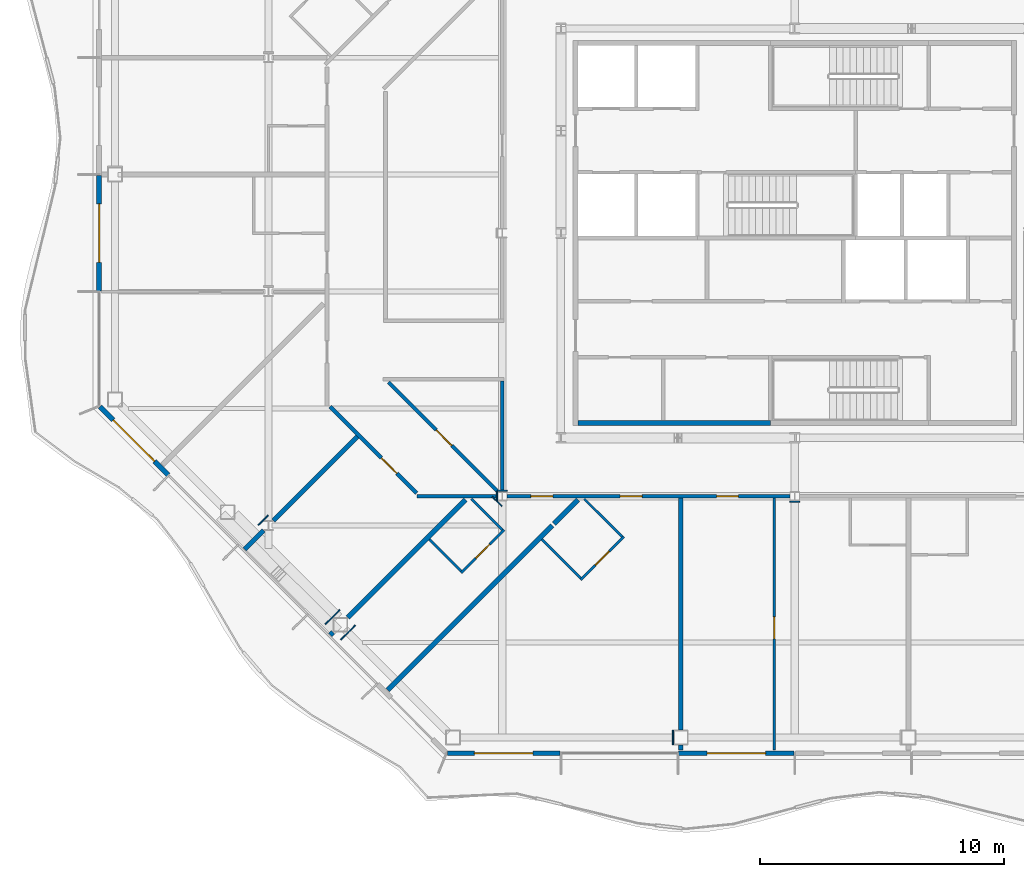
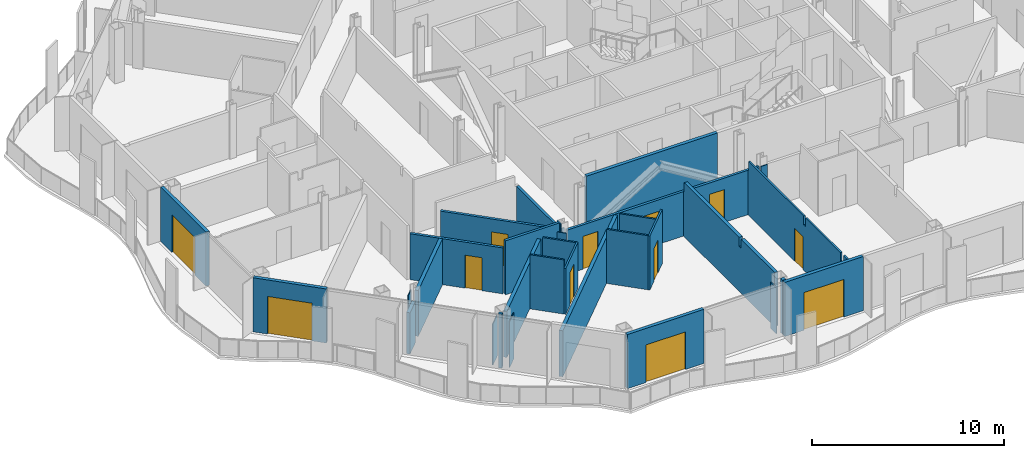
# One storey, part 7 of 21: 33 walls, 12 doors, 12 openings.
"""IFC4 building model written with IfcOpenShell, lengths in metres."""

from ifc_helpers import new_model, si_unit, direction, frame, frame_2d, origin, place, context, subcontext, project, spatial, polyline, rectangle, outline, extrude, material, layer, layer_set, type_object, element, fill, save


model = new_model("IFC4")

# Units and contexts
model_context = context("Model", 3, precision=1e-05, world=origin(), true_north=direction((0.0, 1.0)))
body_context = subcontext(model_context, "Body", "Model", "MODEL_VIEW")
ifc_project = project(units=[si_unit("LENGTHUNIT", "METRE"), si_unit("AREAUNIT", "SQUARE_METRE"), si_unit("VOLUMEUNIT", "CUBIC_METRE"), si_unit("PLANEANGLEUNIT", "RADIAN"), si_unit("MASSUNIT", "GRAM", prefix="KILO")], contexts=[model_context])

# Site, building, storey
site_placement = place(None, origin())
site = spatial("IfcSite", under=ifc_project, at=site_placement, CompositionType="ELEMENT")
building_placement = place(site_placement, origin())
building = spatial("IfcBuilding", under=site, at=building_placement, Name="Cairn Pilgrim Tower", CompositionType="ELEMENT")
storey_placement = place(building_placement, frame((0.0, 0.0, 150.60009765625)))
storey = spatial("IfcBuildingStorey", under=building, at=storey_placement, Name="L37", CompositionType="ELEMENT", Elevation=150.60009765625)

# Wall, opening, door
ifc_material_1 = material(Name="Bronze anodised aluminium insulated sandwich panel with mineral wool fill", Category="aluminium")
ifc_layer_1 = layer(ifc_material_1, 0.199951171875)
ifc_layer_set_1 = layer_set([ifc_layer_1], Name="BRONZE INFILL FRAME WALL 200")
wall_type_1 = type_object("IfcWallType", Name="BRONZE INFILL FRAME WALL 200", PredefinedType="NOTDEFINED", material=ifc_layer_set_1)
wall_1_placement = place(storey_placement, frame((-7.056396484375, -18.949951171875, 0.0), z_axis=(0.0, 0.0, 1.0), x_axis=(1.0, 0.0, 0.0)))
wall_1 = element("IfcWall", 1, at=wall_1_placement, inside=storey, type_object=wall_type_1, Name="Bronze infill frame wall IW-S1", PredefinedType="NOTDEFINED", context=body_context, shape_type="SweptSolid", body=[
    extrude(rectangle(XDim=4.62646484375, YDim=0.199951171875, at=frame_2d((2.313232421875, 0.0))), origin(), (0.0, 0.0, 1.0), 3.449951171875),
])
opening_1_placement = place(wall_1_placement, frame((1.1083984375, 0.0, 0.0)))
opening_1 = element("IfcOpeningElement", 2, at=opening_1_placement, cuts=wall_1, Name="Opening 3719B", PredefinedType="OPENING", context=body_context, shape_type="SweptSolid", body=[
    extrude(rectangle(XDim=2.39990234375, YDim=2.39990234375, at=frame_2d((1.199951171875, 1.199951171875))), frame((0.0, 0.10986328125, 0.0), z_axis=(0.0, -1.0, 0.0), x_axis=(1.0, 0.0, 0.0)), (0.0, 0.0, 1.0), 0.219970703125),
])
ifc_material_2 = material(Name="Bronze anodised aluminium frame with tinted low-E glass", Category="aluminium")
door_type_1 = type_object("IfcDoorType", Name="BALCONY SLIDING DOOR 2400x2400", OperationType="DOUBLE_DOOR_SLIDING", PredefinedType="DOOR", material=ifc_material_2)
door_1_placement = place(opening_1_placement, origin())
door_1 = element("IfcDoor", 3, at=door_1_placement, inside=storey, type_object=door_type_1, Name="Balcony sliding door 3719B", OperationType="SINGLE_SWING_LEFT", OverallHeight=2.39990234375, OverallWidth=2.39990234375, PredefinedType="DOOR", context=body_context, shape_type="SweptSolid", body=[
    extrude(rectangle(XDim=2.39990234375, YDim=2.39990234375, at=frame_2d((1.199951171875, 1.199951171875))), frame((0.0, 0.02490234375, 0.0), z_axis=(0.0, -1.0, 0.0), x_axis=(1.0, 0.0, 0.0)), (0.0, 0.0, 1.0), 0.050048828125),
])
fill(opening_1, door_1)

wall_2_placement = place(storey_placement, frame((2.429931640625, -18.949951171875, 0.0), z_axis=(0.0, 0.0, 1.0), x_axis=(1.0, 0.0, 0.0)))
wall_2 = element("IfcWall", 4, at=wall_2_placement, inside=storey, type_object=wall_type_1, Name="Bronze infill frame wall IW-S3", PredefinedType="NOTDEFINED", context=body_context, shape_type="SweptSolid", body=[
    extrude(rectangle(XDim=4.739990234375, YDim=0.199951171875, at=frame_2d((2.3701171875, 0.0))), origin(), (0.0, 0.0, 1.0), 3.449951171875),
])
opening_2_placement = place(wall_2_placement, frame((1.17041015625, 0.0, 0.0)))
opening_2 = element("IfcOpeningElement", 5, at=opening_2_placement, cuts=wall_2, Name="Opening 3720B", PredefinedType="OPENING", context=body_context, shape_type="SweptSolid", body=[
    extrude(rectangle(XDim=2.39990234375, YDim=2.39990234375, at=frame_2d((1.199951171875, 1.199951171875))), frame((0.0, 0.10986328125, 0.0), z_axis=(0.0, -1.0, 0.0), x_axis=(1.0, 0.0, 0.0)), (0.0, 0.0, 1.0), 0.219970703125),
])
door_2_placement = place(opening_2_placement, origin())
door_2 = element("IfcDoor", 6, at=door_2_placement, inside=storey, type_object=door_type_1, Name="Balcony sliding door 3720B", OperationType="SINGLE_SWING_LEFT", OverallHeight=2.39990234375, OverallWidth=2.39990234375, PredefinedType="DOOR", context=body_context, shape_type="SweptSolid", body=[
    extrude(rectangle(XDim=2.39990234375, YDim=2.39990234375, at=frame_2d((1.199951171875, 1.199951171875))), frame((0.0, 0.02490234375, 0.0), z_axis=(0.0, -1.0, 0.0), x_axis=(1.0, 0.0, 0.0)), (0.0, 0.0, 1.0), 0.050048828125),
])
fill(opening_2, door_2)

wall_3_placement = place(storey_placement, frame((-21.35009765625, 4.77001953125, 0.0), z_axis=(0.0, 0.0, 1.0), x_axis=(0.0, -1.0, 0.0)))
wall_3 = element("IfcWall", 7, at=wall_3_placement, inside=storey, type_object=wall_type_1, Name="Bronze infill frame wall IW-W3", PredefinedType="NOTDEFINED", context=body_context, shape_type="SweptSolid", body=[
    extrude(rectangle(XDim=4.739990234375, YDim=0.199951171875, at=frame_2d((2.3701171875, 0.0))), origin(), (0.0, 0.0, 1.0), 3.449951171875),
])
opening_3_placement = place(wall_3_placement, frame((1.169921875, 0.0, 0.0)))
opening_3 = element("IfcOpeningElement", 8, at=opening_3_placement, cuts=wall_3, Name="Opening 3715B", PredefinedType="OPENING", context=body_context, shape_type="SweptSolid", body=[
    extrude(rectangle(XDim=2.39990234375, YDim=2.39990234375, at=frame_2d((1.199951171875, 1.199951171875))), frame((0.0, 0.10986328125, 0.0), z_axis=(0.0, -1.0, 0.0), x_axis=(1.0, 0.0, 0.0)), (0.0, 0.0, 1.0), 0.219970703125),
])
door_3_placement = place(opening_3_placement, origin())
door_3 = element("IfcDoor", 9, at=door_3_placement, inside=storey, type_object=door_type_1, Name="Balcony sliding door 3715B", OperationType="SINGLE_SWING_LEFT", OverallHeight=2.39990234375, OverallWidth=2.39990234375, PredefinedType="DOOR", context=body_context, shape_type="SweptSolid", body=[
    extrude(rectangle(XDim=2.39990234375, YDim=2.39990234375, at=frame_2d((1.199951171875, 1.199951171875))), frame((0.0, 0.02490234375, 0.0), z_axis=(0.0, -1.0, 0.0), x_axis=(1.0, 0.0, 0.0)), (0.0, 0.0, 1.0), 0.050048828125),
])
fill(opening_3, door_3)

wall_4_placement = place(storey_placement, frame((-21.32177734375, -4.724609375, 0.0), z_axis=(0.0, 0.0, 1.0), x_axis=(0.707106781187, -0.707106781187, 0.0)))
wall_4 = element("IfcWall", 10, at=wall_4_placement, inside=storey, type_object=wall_type_1, Name="Bronze infill frame wall IW-SW1", PredefinedType="NOTDEFINED", context=body_context, shape_type="SweptSolid", body=[
    extrude(rectangle(XDim=3.961669921875, YDim=0.199951171875, at=frame_2d((1.98095703125, 0.0))), origin(), (0.0, 0.0, 1.0), 3.449951171875),
])
opening_4_placement = place(wall_4_placement, frame((0.775390625, 0.0, 0.0)))
opening_4 = element("IfcOpeningElement", 11, at=opening_4_placement, cuts=wall_4, Name="Opening 3722B", PredefinedType="OPENING", context=body_context, shape_type="SweptSolid", body=[
    extrude(rectangle(XDim=2.39990234375, YDim=2.39990234375, at=frame_2d((1.199951171875, 1.199951171875))), frame((0.0, 0.10986328125, 0.0), z_axis=(0.0, -1.0, 0.0), x_axis=(1.0, 0.0, 0.0)), (0.0, 0.0, 1.0), 0.219970703125),
])
door_4_placement = place(opening_4_placement, origin())
door_4 = element("IfcDoor", 12, at=door_4_placement, inside=storey, type_object=door_type_1, Name="Balcony sliding door 3722B", OperationType="SINGLE_SWING_LEFT", OverallHeight=2.39990234375, OverallWidth=2.39990234375, PredefinedType="DOOR", context=body_context, shape_type="SweptSolid", body=[
    extrude(rectangle(XDim=2.39990234375, YDim=2.39990234375, at=frame_2d((1.199951171875, 1.199951171875))), frame((0.0, 0.02490234375, 0.0), z_axis=(0.0, -1.0, 0.0), x_axis=(1.0, 0.0, 0.0)), (0.0, 0.0, 1.0), 0.050048828125),
])
fill(opening_4, door_4)

# Wall
ifc_material_3 = material(Name="Concrete C32/40", Category="concrete")
ifc_layer_2 = layer(ifc_material_3, 0.199951171875)
ifc_layer_set_2 = layer_set([ifc_layer_2], Name="CORE OUTER WALL 200 EI 120")
wall_type_2 = type_object("IfcWallType", Name="CORE OUTER WALL 200 EI 120", PredefinedType="SOLIDWALL", material=ifc_layer_set_2)
wall_5_placement = place(storey_placement, frame((-1.699951171875, -5.39990234375, 0.0), z_axis=(0.0, 0.0, 1.0), x_axis=(1.0, 0.0, 0.0)))
element("IfcWall", 13, at=wall_5_placement, inside=storey, type_object=wall_type_2, Name="CW:L37:H01-1", PredefinedType="SOLIDWALL", context=body_context, shape_type="SweptSolid", body=[
    extrude(rectangle(XDim=7.89990234375, YDim=0.199951171875, at=frame_2d((3.949951171875, 0.0))), origin(), (0.0, 0.0, 1.0), 3.449951171875),
])

# Wall, opening, door
ifc_material_4 = material(Name="Gypsum partition")
ifc_layer_3 = layer(ifc_material_4, 0.10009765625)
ifc_layer_set_3 = layer_set([ifc_layer_3], Name="PARTITION 100 DRYWALL")
wall_type_3 = type_object("IfcWallType", Name="PARTITION 100 DRYWALL", PredefinedType="PARTITIONING", material=ifc_layer_set_3)
wall_6_placement = place(storey_placement, frame((6.35791015625, -18.820068359375, 0.0), z_axis=(0.0, 0.0, 1.0), x_axis=(0.0, 1.0, 0.0)))
wall_6 = element("IfcWall", 14, at=wall_6_placement, inside=storey, type_object=wall_type_3, Name="PARTITION W002", PredefinedType="PARTITIONING", context=body_context, shape_type="SweptSolid", body=[
    extrude(outline(polyline([(0.0, 0.0), (10.344970703125, 0.0), (10.344970703125, 2.829833984375), (10.27001953125, 2.829833984375), (10.26806640625, 3.449951171875), (4.52490234375, 3.449951171875), (4.52294921875, 2.8798828125), (4.31494140625, 2.8798828125), (4.31298828125, 3.449951171875), (0.669921875, 3.449951171875), (0.66796875, 2.929931640625), (0.3701171875, 2.929931640625), (0.367919921875, 3.449951171875), (0.0, 3.449951171875), (0.0, 0.0)])), frame((0.0, 0.050048828125, 0.0), z_axis=(0.0, -1.0, 0.0), x_axis=(1.0, 0.0, 0.0)), (0.0, 0.0, 1.0), 0.10009765625),
])
opening_5_placement = place(wall_6_placement, frame((4.570068359375, 0.0, 0.0)))
opening_5 = element("IfcOpeningElement", 15, at=opening_5_placement, cuts=wall_6, Name="Opening 3720C", PredefinedType="OPENING", context=body_context, shape_type="SweptSolid", body=[
    extrude(rectangle(XDim=0.89990234375, YDim=2.10009765625, at=frame_2d((0.449951171875, 1.050048828125))), frame((0.0, 0.06005859375, 0.0), z_axis=(0.0, -1.0, 0.0), x_axis=(1.0, 0.0, 0.0)), (0.0, 0.0, 1.0), 0.1201171875),
])
ifc_material_5 = material(Name="Timber door leaf", Category="wood")
door_type_2 = type_object("IfcDoorType", Name="SERVICE DOOR 900x2100", OperationType="NOTDEFINED", PredefinedType="DOOR", material=ifc_material_5)
door_5_placement = place(opening_5_placement, origin())
door_5 = element("IfcDoor", 16, at=door_5_placement, inside=storey, type_object=door_type_2, Name="DOOR 3720C", OperationType="SINGLE_SWING_LEFT", OverallHeight=2.10009765625, OverallWidth=0.89990234375, PredefinedType="DOOR", context=body_context, shape_type="SweptSolid", body=[
    extrude(rectangle(XDim=0.89990234375, YDim=2.10009765625, at=frame_2d((0.449951171875, 1.050048828125))), frame((0.0, 0.02490234375, 0.0), z_axis=(0.0, -1.0, 0.0), x_axis=(1.0, 0.0, 0.0)), (0.0, 0.0, 1.0), 0.050048828125),
])
fill(opening_5, door_5)

# Wall
wall_7_placement = place(storey_placement, frame((-1.58740234375, -11.758544921875, 0.0), z_axis=(0.0, 0.0, 1.0), x_axis=(-0.706889644159, 0.707323851557, 0.0)))
element("IfcWall", 17, at=wall_7_placement, inside=storey, type_object=wall_type_3, Name="PARTITION W011", PredefinedType="PARTITIONING", context=body_context, shape_type="SweptSolid", body=[
    extrude(rectangle(XDim=2.2490234375, YDim=0.10009765625, at=frame_2d((1.12451171875, 0.0))), origin(), (0.0, 0.0, 1.0), 3.449951171875),
])

# Wall, opening, door
wall_8_placement = place(storey_placement, frame((-1.58740234375, -11.829345703125, 0.0), z_axis=(0.0, 0.0, 1.0), x_axis=(0.707350821469, 0.706862656651, 0.0)))
wall_8 = element("IfcWall", 18, at=wall_8_placement, inside=storey, type_object=wall_type_3, Name="PARTITION W012", PredefinedType="PARTITIONING", context=body_context, shape_type="SweptSolid", body=[
    extrude(rectangle(XDim=2.50048828125, YDim=0.10009765625, at=frame_2d((1.250244140625, 0.0))), origin(), (0.0, 0.0, 1.0), 3.449951171875),
])
opening_6_placement = place(wall_8_placement, frame((0.85009765625, 0.0, 0.0)))
opening_6 = element("IfcOpeningElement", 19, at=opening_6_placement, cuts=wall_8, Name="Opening 3719A", PredefinedType="OPENING", context=body_context, shape_type="SweptSolid", body=[
    extrude(rectangle(XDim=0.800048828125, YDim=2.10009765625, at=frame_2d((0.39990234375, 1.050048828125))), frame((0.0, 0.06005859375, 0.0), z_axis=(0.0, -1.0, 0.0), x_axis=(1.0, 0.0, 0.0)), (0.0, 0.0, 1.0), 0.1201171875),
])
door_type_3 = type_object("IfcDoorType", Name="WC DOOR 800x2100", OperationType="NOTDEFINED", PredefinedType="DOOR", material=ifc_material_5)
door_6_placement = place(opening_6_placement, frame((0.800048828125, 0.0, 0.0), z_axis=(0.0, 0.0, 1.0), x_axis=(-1.0, 0.0, 0.0)))
door_6 = element("IfcDoor", 20, at=door_6_placement, inside=storey, type_object=door_type_3, Name="DOOR 3719A", OperationType="SINGLE_SWING_RIGHT", OverallHeight=2.10009765625, OverallWidth=0.800048828125, PredefinedType="DOOR", context=body_context, shape_type="SweptSolid", body=[
    extrude(rectangle(XDim=0.800048828125, YDim=2.10009765625, at=frame_2d((0.39990234375, 1.050048828125))), frame((0.0, 0.02490234375, 0.0), z_axis=(0.0, -1.0, 0.0), x_axis=(1.0, 0.0, 0.0)), (0.0, 0.0, 1.0), 0.050048828125),
])
fill(opening_6, door_6)

# Wall
wall_9_placement = place(storey_placement, frame((-6.494384765625, -11.4755859375, 0.0), z_axis=(0.0, 0.0, 1.0), x_axis=(-0.707106781187, 0.707106781187, 0.0)))
element("IfcWall", 21, at=wall_9_placement, inside=storey, type_object=wall_type_3, Name="PARTITION W013", PredefinedType="PARTITIONING", context=body_context, shape_type="SweptSolid", body=[
    extrude(rectangle(XDim=1.849609375, YDim=0.10009765625, at=frame_2d((0.9248046875, 0.0))), origin(), (0.0, 0.0, 1.0), 3.449951171875),
])

# Wall, opening, door
wall_10_placement = place(storey_placement, frame((-6.494384765625, -11.54638671875, 0.0), z_axis=(0.0, 0.0, 1.0), x_axis=(0.707106781187, 0.707106781187, 0.0)))
wall_10 = element("IfcWall", 22, at=wall_10_placement, inside=storey, type_object=wall_type_3, Name="PARTITION W014", PredefinedType="PARTITIONING", context=body_context, shape_type="SweptSolid", body=[
    extrude(rectangle(XDim=2.499755859375, YDim=0.10009765625, at=frame_2d((1.25, 0.0))), origin(), (0.0, 0.0, 1.0), 2.929931640625),
])
opening_7_placement = place(wall_10_placement, frame((0.85009765625, 0.0, 0.0)))
opening_7 = element("IfcOpeningElement", 23, at=opening_7_placement, cuts=wall_10, Name="Opening 3718A", PredefinedType="OPENING", context=body_context, shape_type="SweptSolid", body=[
    extrude(rectangle(XDim=0.800048828125, YDim=2.10009765625, at=frame_2d((0.39990234375, 1.050048828125))), frame((0.0, 0.06005859375, 0.0), z_axis=(0.0, -1.0, 0.0), x_axis=(1.0, 0.0, 0.0)), (0.0, 0.0, 1.0), 0.1201171875),
])
door_7_placement = place(opening_7_placement, frame((0.800048828125, 0.0, 0.0), z_axis=(0.0, 0.0, 1.0), x_axis=(-1.0, 0.0, 0.0)))
door_7 = element("IfcDoor", 24, at=door_7_placement, inside=storey, type_object=door_type_3, Name="DOOR 3718A", OperationType="SINGLE_SWING_RIGHT", OverallHeight=2.10009765625, OverallWidth=0.800048828125, PredefinedType="DOOR", context=body_context, shape_type="SweptSolid", body=[
    extrude(rectangle(XDim=0.800048828125, YDim=2.10009765625, at=frame_2d((0.39990234375, 1.050048828125))), frame((0.0, 0.02490234375, 0.0), z_axis=(0.0, -1.0, 0.0), x_axis=(1.0, 0.0, 0.0)), (0.0, 0.0, 1.0), 0.050048828125),
])
fill(opening_7, door_7)

# Walls
wall_11_placement = place(storey_placement, frame((0.110595703125, -10.0615234375, 0.0), z_axis=(0.0, 0.0, 1.0), x_axis=(-0.70732924673, 0.706884245631, 0.0)))
element("IfcWall", 25, at=wall_11_placement, inside=storey, type_object=wall_type_3, Name="PARTITION W020", PredefinedType="PARTITIONING", context=body_context, shape_type="SweptSolid", body=[
    extrude(rectangle(XDim=2.194580078125, YDim=0.10009765625, at=frame_2d((1.09716796875, 0.0))), origin(), (0.0, 0.0, 1.0), 2.829833984375),
])
wall_12_placement = place(storey_placement, frame((-4.79736328125, -9.778564453125, 0.0), z_axis=(0.0, 0.0, 1.0), x_axis=(-0.707174840937, 0.707038714885, 0.0)))
element("IfcWall", 26, at=wall_12_placement, inside=storey, type_object=wall_type_3, Name="PARTITION W021", PredefinedType="PARTITIONING", context=body_context, shape_type="SweptSolid", body=[
    extrude(rectangle(XDim=1.79345703125, YDim=0.10009765625, at=frame_2d((0.896728515625, 0.0))), origin(), (0.0, 0.0, 1.0), 2.929931640625),
])
ifc_layer_4 = layer(ifc_material_4, 0.14990234375)
ifc_layer_set_4 = layer_set([ifc_layer_4], Name="PARTITION 150 DRYWALL EI 60")
wall_type_4 = type_object("IfcWallType", Name="PARTITION 150 DRYWALL EI 60", PredefinedType="PARTITIONING", material=ifc_layer_set_4)
wall_13_placement = place(storey_placement, frame((-8.300048828125, -8.39990234375, 0.0), z_axis=(0.0, 0.0, 1.0), x_axis=(1.0, 0.0, 0.0)))
element("IfcWall", 27, at=wall_13_placement, inside=storey, type_object=wall_type_4, Name="PARTITION W026", PredefinedType="PARTITIONING", context=body_context, shape_type="SweptSolid", body=[
    extrude(rectangle(XDim=3.300537109375, YDim=0.14990234375, at=frame_2d((1.650390625, 0.0))), origin(), (0.0, 0.0, 1.0), 3.449951171875),
])

# Wall, openings, doors
wall_14_placement = place(storey_placement, frame((-4.6005859375, -8.39990234375, 0.0), z_axis=(0.0, 0.0, 1.0), x_axis=(1.0, 0.0, 0.0)))
wall_14 = element("IfcWall", 28, at=wall_14_placement, inside=storey, type_object=wall_type_4, Name="PARTITION W027", PredefinedType="PARTITIONING", context=body_context, shape_type="SweptSolid", body=[
    extrude(rectangle(XDim=11.60107421875, YDim=0.14990234375, at=frame_2d((5.800537109375, 0.0))), origin(), (0.0, 0.0, 1.0), 2.829833984375),
])
opening_8_placement = place(wall_14_placement, frame((0.974365234375, 0.0, 0.0)))
opening_8 = element("IfcOpeningElement", 29, at=opening_8_placement, cuts=wall_14, Name="Opening 3718", PredefinedType="OPENING", context=body_context, shape_type="SweptSolid", body=[
    extrude(rectangle(XDim=0.89990234375, YDim=2.10009765625, at=frame_2d((0.449951171875, 1.050048828125))), frame((0.0, 0.0849609375, 0.0), z_axis=(0.0, -1.0, 0.0), x_axis=(1.0, 0.0, 0.0)), (0.0, 0.0, 1.0), 0.169921875),
])
opening_9_placement = place(wall_14_placement, frame((4.636474609375, 0.0, 0.0)))
opening_9 = element("IfcOpeningElement", 30, at=opening_9_placement, cuts=wall_14, Name="Opening 3719", PredefinedType="OPENING", context=body_context, shape_type="SweptSolid", body=[
    extrude(rectangle(XDim=0.89990234375, YDim=2.10009765625, at=frame_2d((0.449951171875, 1.050048828125))), frame((0.0, 0.0849609375, 0.0), z_axis=(0.0, -1.0, 0.0), x_axis=(1.0, 0.0, 0.0)), (0.0, 0.0, 1.0), 0.169921875),
])
opening_10_placement = place(wall_14_placement, frame((8.591552734375, 0.0, 0.0)))
opening_10 = element("IfcOpeningElement", 31, at=opening_10_placement, cuts=wall_14, Name="Opening 3720", PredefinedType="OPENING", context=body_context, shape_type="SweptSolid", body=[
    extrude(rectangle(XDim=0.89990234375, YDim=2.10009765625, at=frame_2d((0.449951171875, 1.050048828125))), frame((0.0, 0.0849609375, 0.0), z_axis=(0.0, -1.0, 0.0), x_axis=(1.0, 0.0, 0.0)), (0.0, 0.0, 1.0), 0.169921875),
])
door_type_4 = type_object("IfcDoorType", Name="ROOM DOOR 900x2100 FD30S", OperationType="NOTDEFINED", PredefinedType="DOOR", material=ifc_material_5)
door_8_placement = place(opening_8_placement, frame((0.89990234375, 0.0, 0.0), z_axis=(0.0, 0.0, 1.0), x_axis=(-1.0, 0.0, 0.0)))
door_8 = element("IfcDoor", 32, at=door_8_placement, inside=storey, type_object=door_type_4, Name="DOOR 3718", OperationType="SINGLE_SWING_RIGHT", OverallHeight=2.10009765625, OverallWidth=0.89990234375, PredefinedType="DOOR", context=body_context, shape_type="SweptSolid", body=[
    extrude(rectangle(XDim=0.89990234375, YDim=2.10009765625, at=frame_2d((0.449951171875, 1.050048828125))), frame((0.0, 0.02490234375, 0.0), z_axis=(0.0, -1.0, 0.0), x_axis=(1.0, 0.0, 0.0)), (0.0, 0.0, 1.0), 0.050048828125),
])
fill(opening_8, door_8)
door_9_placement = place(opening_9_placement, frame((0.89990234375, 0.0, 0.0), z_axis=(0.0, 0.0, 1.0), x_axis=(-1.0, 0.0, 0.0)))
door_9 = element("IfcDoor", 33, at=door_9_placement, inside=storey, type_object=door_type_4, Name="DOOR 3719", OperationType="SINGLE_SWING_RIGHT", OverallHeight=2.10009765625, OverallWidth=0.89990234375, PredefinedType="DOOR", context=body_context, shape_type="SweptSolid", body=[
    extrude(rectangle(XDim=0.89990234375, YDim=2.10009765625, at=frame_2d((0.449951171875, 1.050048828125))), frame((0.0, 0.02490234375, 0.0), z_axis=(0.0, -1.0, 0.0), x_axis=(1.0, 0.0, 0.0)), (0.0, 0.0, 1.0), 0.050048828125),
])
fill(opening_9, door_9)
door_10_placement = place(opening_10_placement, frame((0.89990234375, 0.0, 0.0), z_axis=(0.0, 0.0, 1.0), x_axis=(-1.0, 0.0, 0.0)))
door_10 = element("IfcDoor", 34, at=door_10_placement, inside=storey, type_object=door_type_4, Name="DOOR 3720", OperationType="SINGLE_SWING_LEFT", OverallHeight=2.10009765625, OverallWidth=0.89990234375, PredefinedType="DOOR", context=body_context, shape_type="SweptSolid", body=[
    extrude(rectangle(XDim=0.89990234375, YDim=2.10009765625, at=frame_2d((0.449951171875, 1.050048828125))), frame((0.0, 0.02490234375, 0.0), z_axis=(0.0, -1.0, 0.0), x_axis=(1.0, 0.0, 0.0)), (0.0, 0.0, 1.0), 0.050048828125),
])
fill(opening_10, door_10)

# Wall, opening, door
wall_15_placement = place(storey_placement, frame((-8.322021484375, -8.27197265625, 0.0), z_axis=(0.0, 0.0, 1.0), x_axis=(-0.707106781187, 0.707106781187, 0.0)))
wall_15 = element("IfcWall", 35, at=wall_15_placement, inside=storey, type_object=wall_type_4, Name="PARTITION W030", PredefinedType="PARTITIONING", context=body_context, shape_type="SweptSolid", body=[
    extrude(rectangle(XDim=5.0205078125, YDim=0.14990234375, at=frame_2d((2.51025390625, 0.0))), origin(), (0.0, 0.0, 1.0), 2.929931640625),
])
opening_11_placement = place(wall_15_placement, frame((1.138916015625, 0.0, 0.0)))
opening_11 = element("IfcOpeningElement", 36, at=opening_11_placement, cuts=wall_15, Name="Opening 3717", PredefinedType="OPENING", context=body_context, shape_type="SweptSolid", body=[
    extrude(rectangle(XDim=0.89990234375, YDim=2.10009765625, at=frame_2d((0.449951171875, 1.050048828125))), frame((0.0, 0.0849609375, 0.0), z_axis=(0.0, -1.0, 0.0), x_axis=(1.0, 0.0, 0.0)), (0.0, 0.0, 1.0), 0.169921875),
])
door_type_5 = type_object("IfcDoorType", Name="SERVICE DOOR 900x2100 FD30S", OperationType="NOTDEFINED", PredefinedType="DOOR", material=ifc_material_5)
door_11_placement = place(opening_11_placement, origin())
door_11 = element("IfcDoor", 37, at=door_11_placement, inside=storey, type_object=door_type_5, Name="DOOR 3717", OperationType="SINGLE_SWING_RIGHT", OverallHeight=2.10009765625, OverallWidth=0.89990234375, PredefinedType="DOOR", context=body_context, shape_type="SweptSolid", body=[
    extrude(rectangle(XDim=0.89990234375, YDim=2.10009765625, at=frame_2d((0.449951171875, 1.050048828125))), frame((0.0, 0.02490234375, 0.0), z_axis=(0.0, -1.0, 0.0), x_axis=(1.0, 0.0, 0.0)), (0.0, 0.0, 1.0), 0.050048828125),
])
fill(opening_11, door_11)

wall_16_placement = place(storey_placement, frame((-4.998046875, -8.201904296875, 0.0), z_axis=(0.0, 0.0, 1.0), x_axis=(-0.707106781187, 0.707106781187, 0.0)))
wall_16 = element("IfcWall", 38, at=wall_16_placement, inside=storey, type_object=wall_type_4, Name="PARTITION W032", PredefinedType="PARTITIONING", context=body_context, shape_type="SweptSolid", body=[
    extrude(rectangle(XDim=6.326904296875, YDim=0.14990234375, at=frame_2d((3.16357421875, 0.0))), origin(), (0.0, 0.0, 1.0), 2.929931640625),
])
opening_12_placement = place(wall_16_placement, frame((2.664306640625, 0.0, 0.0)))
opening_12 = element("IfcOpeningElement", 39, at=opening_12_placement, cuts=wall_16, Name="Opening 3729", PredefinedType="OPENING", context=body_context, shape_type="SweptSolid", body=[
    extrude(rectangle(XDim=0.89990234375, YDim=2.10009765625, at=frame_2d((0.449951171875, 1.050048828125))), frame((0.0, 0.0849609375, 0.0), z_axis=(0.0, -1.0, 0.0), x_axis=(1.0, 0.0, 0.0)), (0.0, 0.0, 1.0), 0.169921875),
])
door_12_placement = place(opening_12_placement, frame((0.89990234375, 0.0, 0.0), z_axis=(0.0, 0.0, 1.0), x_axis=(-1.0, 0.0, 0.0)))
door_12 = element("IfcDoor", 40, at=door_12_placement, inside=storey, type_object=door_type_5, Name="DOOR 3729", OperationType="SINGLE_SWING_LEFT", OverallHeight=2.10009765625, OverallWidth=0.89990234375, PredefinedType="DOOR", context=body_context, shape_type="SweptSolid", body=[
    extrude(rectangle(XDim=0.89990234375, YDim=2.10009765625, at=frame_2d((0.449951171875, 1.050048828125))), frame((0.0, 0.02490234375, 0.0), z_axis=(0.0, -1.0, 0.0), x_axis=(1.0, 0.0, 0.0)), (0.0, 0.0, 1.0), 0.050048828125),
])
fill(opening_12, door_12)

# Walls
wall_17_placement = place(storey_placement, frame((-4.800048828125, -8.20361328125, 0.0), z_axis=(0.0, 0.0, 1.0), x_axis=(0.0, 1.0, 0.0)))
element("IfcWall", 41, at=wall_17_placement, inside=storey, type_object=wall_type_4, Name="PARTITION W033", PredefinedType="PARTITIONING", context=body_context, shape_type="SweptSolid", body=[
    extrude(rectangle(XDim=4.528564453125, YDim=0.14990234375, at=frame_2d((2.26416015625, 0.0))), origin(), (0.0, 0.0, 1.0), 2.829833984375),
])
ifc_layer_5 = layer(ifc_material_4, 0.050048828125)
ifc_layer_set_5 = layer_set([ifc_layer_5], Name="PARTITION 50 DRYWALL EI 60")
wall_type_5 = type_object("IfcWallType", Name="PARTITION 50 DRYWALL EI 60", PredefinedType="PARTITIONING", material=ifc_layer_set_5)
wall_18_placement = place(storey_placement, frame((2.19921875, -18.60009765625, 0.0), z_axis=(0.0, 0.0, 1.0), x_axis=(0.0, 1.0, 0.0)))
element("IfcWall", 42, at=wall_18_placement, inside=storey, type_object=wall_type_5, Name="COLUMN CASING WC01", PredefinedType="PARTITIONING", context=body_context, shape_type="SweptSolid", body=[
    extrude(rectangle(XDim=0.60009765625, YDim=0.050048828125, at=frame_2d((0.300048828125, 0.0))), origin(), (0.0, 0.0, 1.0), 2.929931640625),
])
wall_19_placement = place(storey_placement, frame((-12.069091796875, -13.657958984375, 0.0), z_axis=(0.0, 0.0, 1.0), x_axis=(0.707106781187, 0.707106781187, 0.0)))
element("IfcWall", 43, at=wall_19_placement, inside=storey, type_object=wall_type_5, Name="COLUMN CASING WC03", PredefinedType="PARTITIONING", context=body_context, shape_type="SweptSolid", body=[
    extrude(rectangle(XDim=0.848388671875, YDim=0.050048828125, at=frame_2d((0.42431640625, 0.0))), origin(), (0.0, 0.0, 1.0), 2.6298828125),
])
wall_20_placement = place(storey_placement, frame((-11.433837890625, -14.29345703125, 0.0), z_axis=(0.0, 0.0, 1.0), x_axis=(0.707106781187, 0.707106781187, 0.0)))
element("IfcWall", 44, at=wall_20_placement, inside=storey, type_object=wall_type_5, Name="COLUMN CASING WC04", PredefinedType="PARTITIONING", context=body_context, shape_type="SweptSolid", body=[
    extrude(rectangle(XDim=0.8486328125, YDim=0.050048828125, at=frame_2d((0.42431640625, 0.0))), origin(), (0.0, 0.0, 1.0), 2.929931640625),
])
wall_21_placement = place(storey_placement, frame((-14.813720703125, -9.582275390625, 0.0), z_axis=(0.0, 0.0, 1.0), x_axis=(0.707106781187, 0.707106781187, 0.0)))
element("IfcWall", 45, at=wall_21_placement, inside=storey, type_object=wall_type_5, Name="COLUMN CASING WC07", PredefinedType="PARTITIONING", context=body_context, shape_type="SweptSolid", body=[
    extrude(rectangle(XDim=0.56005859375, YDim=0.050048828125, at=frame_2d((0.280029296875, 0.0))), origin(), (0.0, 0.0, 1.0), 2.929931640625),
])
wall_22_placement = place(storey_placement, frame((-4.99951171875, -8.178466796875, 0.0), z_axis=(0.0, 0.0, 1.0), x_axis=(1.0, 0.0, 0.0)))
element("IfcWall", 46, at=wall_22_placement, inside=storey, type_object=wall_type_5, Name="COLUMN CASING WC10", PredefinedType="PARTITIONING", context=body_context, shape_type="SweptSolid", body=[
    extrude(rectangle(XDim=0.39892578125, YDim=0.050048828125, at=frame_2d((0.199462890625, 0.0))), origin(), (0.0, 0.0, 1.0), 2.829833984375),
])
wall_23_placement = place(storey_placement, frame((7.00048828125, -8.62158203125, 0.0), z_axis=(0.0, 0.0, 1.0), x_axis=(1.0, 0.0, 0.0)))
element("IfcWall", 47, at=wall_23_placement, inside=storey, type_object=wall_type_5, Name="COLUMN CASING WC11", PredefinedType="PARTITIONING", context=body_context, shape_type="SweptSolid", body=[
    extrude(rectangle(XDim=0.39892578125, YDim=0.050048828125, at=frame_2d((0.199462890625, 0.0))), origin(), (0.0, 0.0, 1.0), 2.929931640625),
])
wall_24_placement = place(storey_placement, frame((-4.817626953125, -8.813720703125, 0.0), z_axis=(0.0, 0.0, 1.0), x_axis=(-0.707106781187, 0.707106781187, 0.0)))
element("IfcWall", 48, at=wall_24_placement, inside=storey, type_object=wall_type_5, Name="COLUMN CASING WC13", PredefinedType="PARTITIONING", context=body_context, shape_type="SweptSolid", body=[
    extrude(rectangle(XDim=0.56005859375, YDim=0.050048828125, at=frame_2d((0.280029296875, 0.0))), origin(), (0.0, 0.0, 1.0), 2.929931640625),
])
wall_25_placement = place(storey_placement, frame((-5.0244140625, -8.596435546875, 0.0), z_axis=(0.0, 0.0, 1.0), x_axis=(0.0, 1.0, 0.0)))
element("IfcWall", 49, at=wall_25_placement, inside=storey, type_object=wall_type_5, Name="COLUMN CASING WC14", PredefinedType="PARTITIONING", context=body_context, shape_type="SweptSolid", body=[
    extrude(rectangle(XDim=0.392822265625, YDim=0.050048828125, at=frame_2d((0.1962890625, 0.0))), origin(), (0.0, 0.0, 1.0), 3.449951171875),
])
ifc_layer_6 = layer(ifc_material_4, 0.199951171875)
ifc_layer_set_6 = layer_set([ifc_layer_6], Name="SHAFT WALL 200 GYPSUM EI 60")
wall_type_6 = type_object("IfcWallType", Name="SHAFT WALL 200 GYPSUM EI 60", PredefinedType="PARTITIONING", material=ifc_layer_set_6)
wall_26_placement = place(storey_placement, frame((2.52392578125, -18.820068359375, 0.0), z_axis=(0.0, 0.0, 1.0), x_axis=(0.0, 1.0, 0.0)))
element("IfcWall", 50, at=wall_26_placement, inside=storey, type_object=wall_type_6, Name="PARTITION W001", PredefinedType="PARTITIONING", context=body_context, shape_type="SweptSolid", body=[
    extrude(rectangle(XDim=0.219970703125, YDim=0.199951171875, at=frame_2d((0.10986328125, 0.0))), origin(), (0.0, 0.0, 1.0), 3.449951171875),
])
wall_27_placement = place(storey_placement, frame((2.52392578125, -18.0, 0.0), z_axis=(0.0, 0.0, 1.0), x_axis=(0.0, 1.0, 0.0)))
element("IfcWall", 51, at=wall_27_placement, inside=storey, type_object=wall_type_6, Name="PARTITION W004", PredefinedType="PARTITIONING", context=body_context, shape_type="SweptSolid", body=[
    extrude(outline(polyline([(0.0, 0.0), (9.52490234375, 0.0), (9.52490234375, 2.829833984375), (9.449951171875, 2.829833984375), (9.447998046875, 3.449951171875), (3.705078125, 3.449951171875), (3.702880859375, 2.8798828125), (3.4951171875, 2.8798828125), (3.492919921875, 3.449951171875), (0.0, 3.449951171875), (0.0, 0.0)])), frame((0.0, 0.10009765625, 0.0), z_axis=(0.0, -1.0, 0.0), x_axis=(1.0, 0.0, 0.0)), (0.0, 0.0, 1.0), 0.199951171875),
])
wall_28_placement = place(storey_placement, frame((-9.50732421875, -16.355224609375, 0.0), z_axis=(0.0, 0.0, 1.0), x_axis=(0.707170680804, 0.707042875794, 0.0)))
element("IfcWall", 52, at=wall_28_placement, inside=storey, type_object=wall_type_6, Name="PARTITION W006", PredefinedType="PARTITIONING", context=body_context, shape_type="SweptSolid", body=[
    extrude(rectangle(XDim=9.55126953125, YDim=0.199951171875, at=frame_2d((4.775634765625, 0.0))), origin(), (0.0, 0.0, 1.0), 2.929931640625),
])
wall_29_placement = place(storey_placement, frame((-11.868896484375, -14.0927734375, 0.0), z_axis=(0.0, 0.0, 1.0), x_axis=(0.707106781187, 0.707106781187, 0.0)))
element("IfcWall", 53, at=wall_29_placement, inside=storey, type_object=wall_type_6, Name="PARTITION W007", PredefinedType="PARTITIONING", context=body_context, shape_type="SweptSolid", body=[
    extrude(rectangle(XDim=0.165771484375, YDim=0.199951171875, at=frame_2d((0.0830078125, 0.0))), origin(), (0.0, 0.0, 1.0), 3.449951171875),
])
wall_30_placement = place(storey_placement, frame((-11.151611328125, -13.37548828125, 0.0), z_axis=(0.0, 0.0, 1.0), x_axis=(0.707106781187, 0.707106781187, 0.0)))
element("IfcWall", 54, at=wall_30_placement, inside=storey, type_object=wall_type_6, Name="PARTITION W009", PredefinedType="PARTITIONING", context=body_context, shape_type="SweptSolid", body=[
    extrude(rectangle(XDim=6.830322265625, YDim=0.199951171875, at=frame_2d((3.4150390625, 0.0))), origin(), (0.0, 0.0, 1.0), 2.929931640625),
])
wall_31_placement = place(storey_placement, frame((-15.380859375, -10.580810546875, 0.0), z_axis=(0.0, 0.0, 1.0), x_axis=(0.707217034054, 0.706996511125, 0.0)))
element("IfcWall", 55, at=wall_31_placement, inside=storey, type_object=wall_type_6, Name="PARTITION W017", PredefinedType="PARTITIONING", context=body_context, shape_type="SweptSolid", body=[
    extrude(rectangle(XDim=1.107177734375, YDim=0.199951171875, at=frame_2d((0.5537109375, 0.0))), origin(), (0.0, 0.0, 1.0), 2.6298828125),
])
wall_32_placement = place(storey_placement, frame((-2.6826171875, -9.531005859375, 0.0), z_axis=(0.0, 0.0, 1.0), x_axis=(0.707019164958, 0.70719438656, 0.0)))
element("IfcWall", 56, at=wall_32_placement, inside=storey, type_object=wall_type_6, Name="PARTITION W022", PredefinedType="PARTITIONING", context=body_context, shape_type="SweptSolid", body=[
    extrude(rectangle(XDim=1.393310546875, YDim=0.199951171875, at=frame_2d((0.69677734375, 0.0))), origin(), (0.0, 0.0, 1.0), 2.829833984375),
])
wall_33_placement = place(storey_placement, frame((-14.201904296875, -9.402099609375, 0.0), z_axis=(0.0, 0.0, 1.0), x_axis=(0.707081776084, 0.707131785404, 0.0)))
element("IfcWall", 57, at=wall_33_placement, inside=storey, type_object=wall_type_6, Name="PARTITION W024", PredefinedType="PARTITIONING", context=body_context, shape_type="SweptSolid", body=[
    extrude(rectangle(XDim=4.8818359375, YDim=0.199951171875, at=frame_2d((2.44091796875, 0.0))), origin(), (0.0, 0.0, 1.0), 2.929931640625),
])

save(model, "model.ifc")
